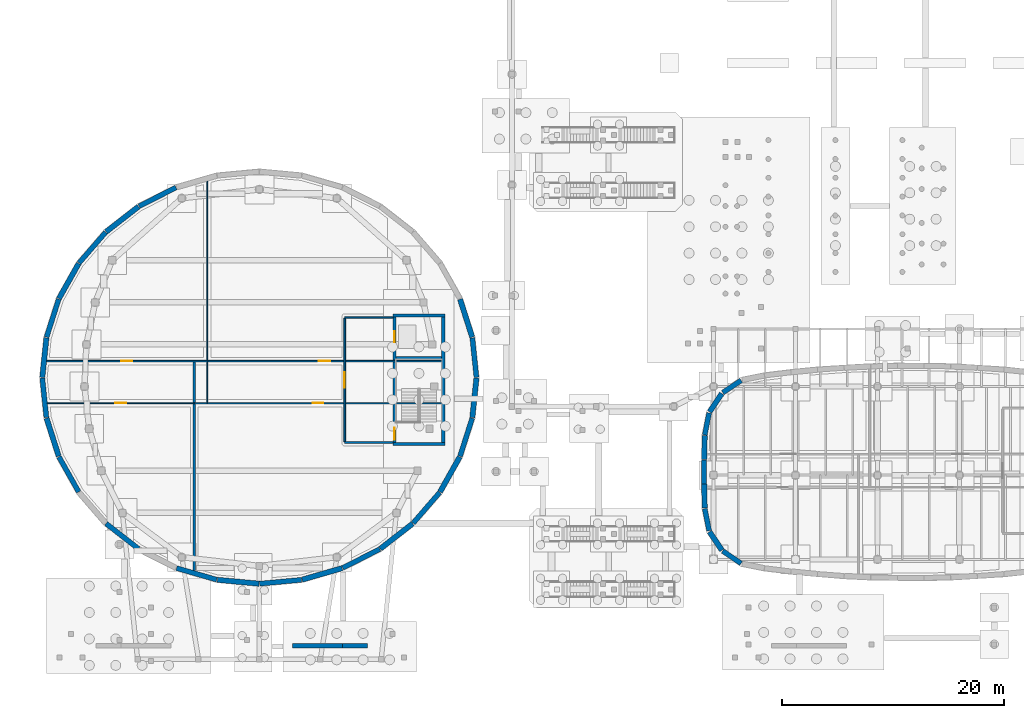
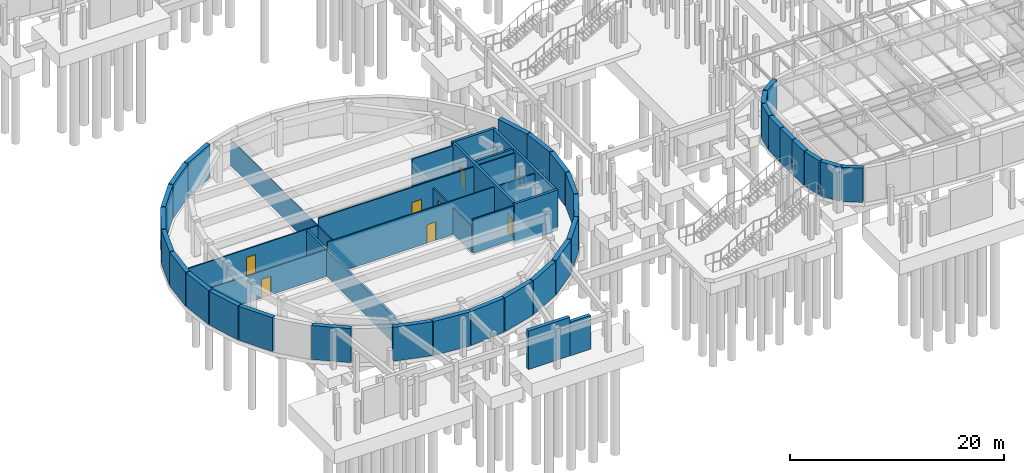
# One storey, part 32 of 45: 47 walls, 7 doors, 7 openings.
"""IFC4 building model written with IfcOpenShell, lengths in metres."""

from ifc_helpers import new_model, si_unit, direction, frame, frame_2d, origin, place, context, subcontext, project, spatial, rectangle, extrude, material, layer, layer_set, type_object, element, fill, save


model = new_model("IFC4")

# Units and contexts
model_context = context("Model", 3, precision=1e-05, world=origin(), true_north=direction((0.0, 1.0)))
body_context = subcontext(model_context, "Body", "Model", "MODEL_VIEW")
ifc_project = project(units=[si_unit("LENGTHUNIT", "METRE"), si_unit("AREAUNIT", "SQUARE_METRE"), si_unit("VOLUMEUNIT", "CUBIC_METRE"), si_unit("PLANEANGLEUNIT", "RADIAN"), si_unit("MASSUNIT", "GRAM", prefix="KILO")], contexts=[model_context])

# Site, building, storey
site_placement = place(None, origin())
site = spatial("IfcSite", under=ifc_project, at=site_placement, CompositionType="ELEMENT")
building_placement = place(site_placement, origin())
building = spatial("IfcBuilding", under=site, at=building_placement, Name="Corveleigh Park Community Centre", CompositionType="ELEMENT")
storey_placement = place(building_placement, frame((0.0, 0.0, -4.199951171875)))
storey = spatial("IfcBuildingStorey", under=building, at=storey_placement, Name="B1", CompositionType="ELEMENT", Elevation=-4.199951171875)

# Wall, opening, door
ifc_material_1 = material(Name="Gypsum acoustic stud partition", Category="gypsum")
ifc_layer_1 = layer(ifc_material_1, 0.10009765625, Name="Gypsum acoustic stud partition", Category="gypsum")
ifc_layer_set_1 = layer_set([ifc_layer_1], Name="Gypsum acoustic stud partition")
wall_type_1 = type_object("IfcWallType", Name="WL-PRT-100", PredefinedType="PARTITIONING", material=ifc_layer_set_1)
wall_1_placement = place(storey_placement, frame((11.85302734375, 25.300048828125, 0.0), z_axis=(0.0, 0.0, 1.0), x_axis=(1.0, 0.0, 0.0)))
wall_1 = element("IfcWall", 1, at=wall_1_placement, inside=storey, type_object=wall_type_1, Name="Music Recording Studio 1 corridor wall", PredefinedType="PARTITIONING", context=body_context, shape_type="SweptSolid", body=[
    extrude(rectangle(XDim=13.2470703125, YDim=0.10009765625, at=frame_2d((6.62353515625, 0.0))), origin(), (0.0, 0.0, 1.0), 3.054931640625),
])
opening_1_placement = place(wall_1_placement, frame((6.1240234375, 0.0, 0.0)))
opening_1 = element("IfcOpeningElement", 2, at=opening_1_placement, cuts=wall_1, Name="Opening ID01", PredefinedType="OPENING", context=body_context, shape_type="SweptSolid", body=[
    extrude(rectangle(XDim=1.0, YDim=2.1201171875, at=frame_2d((0.5, 1.06005859375))), frame((0.0, 0.06005859375, 0.0), z_axis=(0.0, -1.0, 0.0), x_axis=(1.0, 0.0, 0.0)), (0.0, 0.0, 1.0), 0.1201171875),
])
ifc_material_2 = material(Name="Hardwood acoustic door leaf", Category="wood")
door_type_1 = type_object("IfcDoorType", Name="DR-INT-1000x2120", OperationType="NOTDEFINED", PredefinedType="DOOR", material=ifc_material_2)
door_1_placement = place(opening_1_placement, origin())
door_1 = element("IfcDoor", 3, at=door_1_placement, inside=storey, type_object=door_type_1, Name="Music Recording Studio 1 door", OperationType="SINGLE_SWING_LEFT", OverallHeight=2.1201171875, OverallWidth=1.0, PredefinedType="DOOR", context=body_context, shape_type="SweptSolid", body=[
    extrude(rectangle(XDim=1.0, YDim=2.1201171875, at=frame_2d((0.5, 1.06005859375))), frame((0.0, 0.02490234375, 0.0), z_axis=(0.0, -1.0, 0.0), x_axis=(1.0, 0.0, 0.0)), (0.0, 0.0, 1.0), 0.050048828125),
])
fill(opening_1, door_1)

# Wall
wall_2_placement = place(storey_placement, frame((26.300048828125, 25.345947265625, 0.0), z_axis=(0.0, 0.0, 1.0), x_axis=(0.0, 1.0, 0.0)))
element("IfcWall", 4, at=wall_2_placement, inside=storey, type_object=wall_type_1, Name="Community Makerspace Workshop partition", PredefinedType="PARTITIONING", context=body_context, shape_type="SweptSolid", body=[
    extrude(rectangle(XDim=20.007080078125, YDim=0.10009765625, at=frame_2d((10.00341796875, 0.0))), origin(), (0.0, 0.0, 1.0), 3.0048828125),
])

# Wall, opening, door
ifc_layer_2 = layer(ifc_material_1, 0.114990234375, Name="Gypsum acoustic stud partition", Category="gypsum")
ifc_layer_set_2 = layer_set([ifc_layer_2], Name="Gypsum acoustic stud partition")
wall_type_2 = type_object("IfcWallType", Name="WL-PRT-115", PredefinedType="PARTITIONING", material=ifc_layer_set_2)
wall_3_placement = place(storey_placement, frame((25.10009765625, 25.300048828125, 0.0), z_axis=(0.0, 0.0, 1.0), x_axis=(1.0, 0.0, 0.0)))
wall_3 = element("IfcWall", 5, at=wall_3_placement, inside=storey, type_object=wall_type_2, Name="Ensemble Rehearsal Studio corridor wall", PredefinedType="PARTITIONING", context=body_context, shape_type="SweptSolid", body=[
    extrude(rectangle(XDim=22.3740234375, YDim=0.114990234375, at=frame_2d((11.18701171875, 0.0))), origin(), (0.0, 0.0, 1.0), 3.866943359375),
])
opening_2_placement = place(wall_3_placement, frame((10.717041015625, 0.0, 0.0)))
opening_2 = element("IfcOpeningElement", 6, at=opening_2_placement, cuts=wall_3, Name="Opening FD09", PredefinedType="OPENING", context=body_context, shape_type="SweptSolid", body=[
    extrude(rectangle(XDim=0.93994140625, YDim=2.10009765625, at=frame_2d((0.469970703125, 1.050048828125))), frame((0.0, 0.0673828125, 0.0), z_axis=(0.0, -1.0, 0.0), x_axis=(1.0, 0.0, 0.0)), (0.0, 0.0, 1.0), 0.135009765625),
])
door_type_2 = type_object("IfcDoorType", Name="DR-FIR-0940x2100", OperationType="NOTDEFINED", PredefinedType="DOOR", material=ifc_material_2)
door_2_placement = place(opening_2_placement, origin())
door_2 = element("IfcDoor", 7, at=door_2_placement, inside=storey, type_object=door_type_2, Name="Ensemble Rehearsal Studio door", OperationType="SINGLE_SWING_RIGHT", OverallHeight=2.10009765625, OverallWidth=0.93994140625, PredefinedType="DOOR", context=body_context, shape_type="SweptSolid", body=[
    extrude(rectangle(XDim=0.93994140625, YDim=2.10009765625, at=frame_2d((0.469970703125, 1.050048828125))), frame((0.0, 0.02490234375, 0.0), z_axis=(0.0, -1.0, 0.0), x_axis=(1.0, 0.0, 0.0)), (0.0, 0.0, 1.0), 0.050048828125),
])
fill(opening_2, door_2)

ifc_layer_3 = layer(ifc_material_1, 0.125, Name="Gypsum acoustic stud partition", Category="gypsum")
ifc_layer_set_3 = layer_set([ifc_layer_3], Name="Gypsum acoustic stud partition")
wall_type_3 = type_object("IfcWallType", Name="WL-PRT-125", PredefinedType="PARTITIONING", material=ifc_layer_set_3)
wall_4_placement = place(storey_placement, frame((26.300048828125, 29.10009765625, 0.0), z_axis=(0.0, 0.0, 1.0), x_axis=(-1.0, 0.0, 0.0)))
wall_4 = element("IfcWall", 8, at=wall_4_placement, inside=storey, type_object=wall_type_3, Name="Community Makerspace Workshop corridor wall", PredefinedType="PARTITIONING", context=body_context, shape_type="SweptSolid", body=[
    extrude(rectangle(XDim=14.51513671875, YDim=0.125, at=frame_2d((7.257568359375, 0.0))), origin(), (0.0, 0.0, 1.0), 3.054931640625),
])
opening_3_placement = place(wall_4_placement, frame((6.76806640625, 0.0, 0.0)))
opening_3 = element("IfcOpeningElement", 9, at=opening_3_placement, cuts=wall_4, Name="Opening FD06", PredefinedType="OPENING", context=body_context, shape_type="SweptSolid", body=[
    extrude(rectangle(XDim=0.97998046875, YDim=2.1201171875, at=frame_2d((0.489990234375, 1.06005859375))), frame((0.0, 0.072509765625, 0.0), z_axis=(0.0, -1.0, 0.0), x_axis=(1.0, 0.0, 0.0)), (0.0, 0.0, 1.0), 0.14501953125),
])
door_type_3 = type_object("IfcDoorType", Name="DR-FIR-0980x2120", OperationType="NOTDEFINED", PredefinedType="DOOR", material=ifc_material_2)
door_3_placement = place(opening_3_placement, origin())
door_3 = element("IfcDoor", 10, at=door_3_placement, inside=storey, type_object=door_type_3, Name="Community Makerspace Workshop door", OperationType="SINGLE_SWING_LEFT", OverallHeight=2.1201171875, OverallWidth=0.97998046875, PredefinedType="DOOR", context=body_context, shape_type="SweptSolid", body=[
    extrude(rectangle(XDim=0.97998046875, YDim=2.1201171875, at=frame_2d((0.489990234375, 1.06005859375))), frame((0.0, 0.02490234375, 0.0), z_axis=(0.0, -1.0, 0.0), x_axis=(1.0, 0.0, 0.0)), (0.0, 0.0, 1.0), 0.050048828125),
])
fill(opening_3, door_3)

ifc_layer_4 = layer(ifc_material_1, 0.139892578125, Name="Gypsum acoustic stud partition", Category="gypsum")
ifc_layer_set_4 = layer_set([ifc_layer_4], Name="Gypsum acoustic stud partition")
wall_type_4 = type_object("IfcWallType", Name="WL-PRT-140", PredefinedType="PARTITIONING", material=ifc_layer_set_4)
wall_5_placement = place(storey_placement, frame((47.47412109375, 29.10009765625, 0.0), z_axis=(0.0, 0.0, 1.0), x_axis=(-1.0, 0.0, 0.0)))
wall_5 = element("IfcWall", 11, at=wall_5_placement, inside=storey, type_object=wall_type_4, Name="Digital Media Editing Classroom corridor wall", PredefinedType="PARTITIONING", context=body_context, shape_type="SweptSolid", body=[
    extrude(rectangle(XDim=21.174072265625, YDim=0.139892578125, at=frame_2d((10.5869140625, 0.0))), origin(), (0.0, 0.0, 1.0), 3.866943359375),
])
opening_4_placement = place(wall_5_placement, frame((10.076904296875, 0.0, 0.0)))
opening_4 = element("IfcOpeningElement", 12, at=opening_4_placement, cuts=wall_5, Name="Opening FD05", PredefinedType="OPENING", context=body_context, shape_type="SweptSolid", body=[
    extrude(rectangle(XDim=1.02001953125, YDim=2.139892578125, at=frame_2d((0.510009765625, 1.06982421875))), frame((0.0, 0.079833984375, 0.0), z_axis=(0.0, -1.0, 0.0), x_axis=(1.0, 0.0, 0.0)), (0.0, 0.0, 1.0), 0.159912109375),
])
door_type_4 = type_object("IfcDoorType", Name="DR-FIR-1020x2140", OperationType="NOTDEFINED", PredefinedType="DOOR", material=ifc_material_2)
door_4_placement = place(opening_4_placement, origin())
door_4 = element("IfcDoor", 13, at=door_4_placement, inside=storey, type_object=door_type_4, Name="Digital Media Editing Classroom door", OperationType="SINGLE_SWING_RIGHT", OverallHeight=2.139892578125, OverallWidth=1.02001953125, PredefinedType="DOOR", context=body_context, shape_type="SweptSolid", body=[
    extrude(rectangle(XDim=1.02001953125, YDim=2.139892578125, at=frame_2d((0.510009765625, 1.06982421875))), frame((0.0, 0.02490234375, 0.0), z_axis=(0.0, -1.0, 0.0), x_axis=(1.0, 0.0, 0.0)), (0.0, 0.0, 1.0), 0.050048828125),
])
fill(opening_4, door_4)

# Walls
ifc_layer_5 = layer(ifc_material_1, 0.14990234375, Name="Gypsum acoustic stud partition", Category="gypsum")
ifc_layer_set_5 = layer_set([ifc_layer_5], Name="Gypsum acoustic stud partition")
wall_type_5 = type_object("IfcWallType", Name="WL-PRT-150", PredefinedType="PARTITIONING", material=ifc_layer_set_5)
for number, where, z_axis, x_axis, name in (
    (14, (38.699951171875, 21.75, 0.0), (0.0, 0.0, 1.0), (1.0, 0.0, 0.0), "CORE5 lobby south wall"),
    (15, (43.077880859375, 33.050048828125, 0.0), (0.0, 0.0, 1.0), (-1.0, 0.0, 0.0), "CORE5 lobby north wall"),
):
    element("IfcWall", number, at=place(storey_placement, frame(where, z_axis=z_axis, x_axis=x_axis)), inside=storey, type_object=wall_type_5, Name=name, PredefinedType="PARTITIONING", context=body_context, shape_type="SweptSolid", body=[
        extrude(rectangle(XDim=4.3779296875, YDim=0.14990234375, at=frame_2d((2.18896484375, 0.0))), origin(), (0.0, 0.0, 1.0), 3.866943359375),
    ])

# Wall, opening, door
wall_6_placement = place(storey_placement, frame((38.699951171875, 32.969970703125, 0.0), z_axis=(0.0, 0.0, 1.0), x_axis=(0.0, -1.0, 0.0)))
wall_6 = element("IfcWall", 16, at=wall_6_placement, inside=storey, type_object=wall_type_5, Name="CORE5 lobby corridor wall", PredefinedType="PARTITIONING", context=body_context, shape_type="SweptSolid", body=[
    extrude(rectangle(XDim=11.139892578125, YDim=0.14990234375, at=frame_2d((5.56982421875, 0.0))), origin(), (0.0, 0.0, 1.0), 3.0048828125),
])
opening_5_placement = place(wall_6_placement, frame((4.8798828125, 0.0, 0.0)))
opening_5 = element("IfcOpeningElement", 17, at=opening_5_placement, cuts=wall_6, Name="Opening FD02", PredefinedType="OPENING", context=body_context, shape_type="SweptSolid", body=[
    extrude(rectangle(XDim=1.3798828125, YDim=2.199951171875, at=frame_2d((0.68994140625, 1.10009765625))), frame((0.0, 0.0849609375, 0.0), z_axis=(0.0, -1.0, 0.0), x_axis=(1.0, 0.0, 0.0)), (0.0, 0.0, 1.0), 0.169921875),
])
door_type_5 = type_object("IfcDoorType", Name="DR-FIR-1380x2200", OperationType="DOUBLE_DOOR_SINGLE_SWING", PredefinedType="DOOR", material=ifc_material_2)
door_5_placement = place(opening_5_placement, origin())
door_5 = element("IfcDoor", 18, at=door_5_placement, inside=storey, type_object=door_type_5, Name="Lobby CORE5 corridor door B1", OperationType="DOUBLE_DOOR_SINGLE_SWING", OverallHeight=2.199951171875, OverallWidth=1.3798828125, PredefinedType="DOOR", context=body_context, shape_type="SweptSolid", body=[
    extrude(rectangle(XDim=1.3798828125, YDim=2.199951171875, at=frame_2d((0.68994140625, 1.10009765625))), frame((0.0, 0.02490234375, 0.0), z_axis=(0.0, -1.0, 0.0), x_axis=(1.0, 0.0, 0.0)), (0.0, 0.0, 1.0), 0.050048828125),
])
fill(opening_5, door_5)

# Walls
ifc_material_3 = material(Name="Masonry blockwork 7.3 MPa", Category="masonry")
ifc_layer_6 = layer(ifc_material_3, 0.22998046875, Name="Masonry blockwork 7.3 MPa", Category="masonry")
ifc_layer_set_6 = layer_set([ifc_layer_6], Name="Masonry blockwork 7.3 MPa")
wall_type_6 = type_object("IfcWallType", Name="WL-PRT-230", PredefinedType="PARTITIONING", material=ifc_layer_set_6)
wall_7_placement = place(storey_placement, frame((25.10009765625, 10.177001953125, 0.0), z_axis=(0.0, 0.0, 1.0), x_axis=(0.0, 1.0, 0.0)))
element("IfcWall", 19, at=wall_7_placement, inside=storey, type_object=wall_type_6, Name="Music Recording Studio 1 partition", PredefinedType="PARTITIONING", context=body_context, shape_type="SweptSolid", body=[
    extrude(rectangle(XDim=18.873046875, YDim=0.22998046875, at=frame_2d((9.4365234375, 0.0))), origin(), (0.0, 0.0, 1.0), 3.0048828125),
])
ifc_material_4 = material(Name="Concrete C40/50", Category="concrete")
ifc_layer_7 = layer(ifc_material_4, 0.449951171875, Name="Concrete C40/50", Category="concrete")
ifc_layer_set_7 = layer_set([ifc_layer_7], Name="Concrete C40/50")
wall_type_7 = type_object("IfcWallType", Name="WL-RET-450", PredefinedType="STANDARD", material=ifc_layer_set_7)
wall_8_placement = place(storey_placement, frame((50.22607421875, 31.197998046875, 0.0), z_axis=(0.0, 0.0, 1.0), x_axis=(0.103412455299, -0.994638559523, 0.0)))
element("IfcWall", 20, at=wall_8_placement, inside=storey, type_object=wall_type_7, Name="V1 B1 retaining wall", PredefinedType="STANDARD", context=body_context, shape_type="SweptSolid", body=[
    extrude(rectangle(XDim=3.586181640625, YDim=0.449951171875, at=frame_2d((1.79296875, 0.0))), origin(), (0.0, 0.0, 1.0), 3.866943359375),
])
wall_9_placement = place(storey_placement, frame((20.136962890625, 43.077880859375, 0.0), z_axis=(0.0, 0.0, 1.0), x_axis=(0.891722284503, 0.452582994952, 0.0)))
element("IfcWall", 21, at=wall_9_placement, inside=storey, type_object=wall_type_7, Name="V1 B1 retaining wall", PredefinedType="STANDARD", context=body_context, shape_type="SweptSolid", body=[
    extrude(rectangle(XDim=3.740966796875, YDim=0.449951171875, at=frame_2d((1.87060546875, 0.0))), origin(), (0.0, 0.0, 1.0), 3.866943359375),
])
wall_10_placement = place(storey_placement, frame((14.722900390625, 37.95703125, 0.0), z_axis=(0.0, 0.0, 1.0), x_axis=(0.654278596364, 0.756253607158, 0.0)))
element("IfcWall", 22, at=wall_10_placement, inside=storey, type_object=wall_type_7, Name="V1 B1 retaining wall", PredefinedType="STANDARD", context=body_context, shape_type="SweptSolid", body=[
    extrude(rectangle(XDim=3.665283203125, YDim=0.449951171875, at=frame_2d((1.83251953125, 0.0))), origin(), (0.0, 0.0, 1.0), 3.866943359375),
])
wall_11_placement = place(storey_placement, frame((11.785888671875, 31.259033203125, 0.0), z_axis=(0.0, 0.0, 1.0), x_axis=(0.304751121455, 0.952432020657, 0.0)))
element("IfcWall", 23, at=wall_11_placement, inside=storey, type_object=wall_type_7, Name="V1 B1 retaining wall", PredefinedType="STANDARD", context=body_context, shape_type="SweptSolid", body=[
    extrude(rectangle(XDim=3.60009765625, YDim=0.449951171875, at=frame_2d((1.800048828125, 0.0))), origin(), (0.0, 0.0, 1.0), 3.866943359375),
])
wall_12_placement = place(storey_placement, frame((11.77392578125, 24.001953125, 0.0), z_axis=(0.0, 0.0, 1.0), x_axis=(-0.103405453269, 0.994639287498, 0.0)))
element("IfcWall", 24, at=wall_12_placement, inside=storey, type_object=wall_type_7, Name="V1 B1 retaining wall", PredefinedType="STANDARD", context=body_context, shape_type="SweptSolid", body=[
    extrude(rectangle(XDim=3.58642578125, YDim=0.449951171875, at=frame_2d((1.793212890625, 0.0))), origin(), (0.0, 0.0, 1.0), 3.866943359375),
])
wall_13_placement = place(storey_placement, frame((14.68798828125, 17.2919921875, 0.0), z_axis=(0.0, 0.0, 1.0), x_axis=(-0.490631601597, 0.871367104907, 0.0)))
element("IfcWall", 25, at=wall_13_placement, inside=storey, type_object=wall_type_7, Name="V1 B1 retaining wall", PredefinedType="STANDARD", context=body_context, shape_type="SweptSolid", body=[
    extrude(rectangle(XDim=3.630126953125, YDim=0.449951171875, at=frame_2d((1.81494140625, 0.0))), origin(), (0.0, 0.0, 1.0), 3.866943359375),
])
wall_14_placement = place(storey_placement, frame((20.087890625, 12.153076171875, 0.0), z_axis=(0.0, 0.0, 1.0), x_axis=(-0.788890732052, 0.614533492075, 0.0)))
element("IfcWall", 26, at=wall_14_placement, inside=storey, type_object=wall_type_7, Name="V1 B1 retaining wall", PredefinedType="STANDARD", context=body_context, shape_type="SweptSolid", body=[
    extrude(rectangle(XDim=3.705078125, YDim=0.449951171875, at=frame_2d((1.8525390625, 0.0))), origin(), (0.0, 0.0, 1.0), 3.866943359375),
])
wall_15_placement = place(storey_placement, frame((27.14794921875, 9.364990234375, 0.0), z_axis=(0.0, 0.0, 1.0), x_axis=(-0.960930032161, 0.276791389481, 0.0)))
element("IfcWall", 27, at=wall_15_placement, inside=storey, type_object=wall_type_7, Name="V1 B1 retaining wall", PredefinedType="STANDARD", context=body_context, shape_type="SweptSolid", body=[
    extrude(rectangle(XDim=3.76806640625, YDim=0.449951171875, at=frame_2d((1.884033203125, 0.0))), origin(), (0.0, 0.0, 1.0), 3.866943359375),
])
wall_16_placement = place(storey_placement, frame((34.794921875, 9.35400390625, 0.0), z_axis=(0.0, 0.0, 1.0), x_axis=(-0.995684868215, -0.092798939691, 0.0)))
element("IfcWall", 28, at=wall_16_placement, inside=storey, type_object=wall_type_7, Name="V1 B1 retaining wall", PredefinedType="STANDARD", context=body_context, shape_type="SweptSolid", body=[
    extrude(rectangle(XDim=3.783203125, YDim=0.449951171875, at=frame_2d((1.8916015625, 0.0))), origin(), (0.0, 0.0, 1.0), 3.866943359375),
])
wall_17_placement = place(storey_placement, frame((41.863037109375, 12.1220703125, 0.0), z_axis=(0.0, 0.0, 1.0), x_axis=(-0.891722284503, -0.452582994952, 0.0)))
element("IfcWall", 29, at=wall_17_placement, inside=storey, type_object=wall_type_7, Name="V1 B1 retaining wall", PredefinedType="STANDARD", context=body_context, shape_type="SweptSolid", body=[
    extrude(rectangle(XDim=3.740966796875, YDim=0.449951171875, at=frame_2d((1.87060546875, 0.0))), origin(), (0.0, 0.0, 1.0), 3.866943359375),
])
wall_18_placement = place(storey_placement, frame((47.277099609375, 17.242919921875, 0.0), z_axis=(0.0, 0.0, 1.0), x_axis=(-0.654278596364, -0.756253607158, 0.0)))
element("IfcWall", 30, at=wall_18_placement, inside=storey, type_object=wall_type_7, Name="V1 B1 retaining wall", PredefinedType="STANDARD", context=body_context, shape_type="SweptSolid", body=[
    extrude(rectangle(XDim=3.665283203125, YDim=0.449951171875, at=frame_2d((1.83251953125, 0.0))), origin(), (0.0, 0.0, 1.0), 3.866943359375),
])
wall_19_placement = place(storey_placement, frame((50.214111328125, 23.94091796875, 0.0), z_axis=(0.0, 0.0, 1.0), x_axis=(-0.304751121455, -0.952432020657, 0.0)))
element("IfcWall", 31, at=wall_19_placement, inside=storey, type_object=wall_type_7, Name="V1 B1 retaining wall", PredefinedType="STANDARD", context=body_context, shape_type="SweptSolid", body=[
    extrude(rectangle(XDim=3.60009765625, YDim=0.449951171875, at=frame_2d((1.800048828125, 0.0))), origin(), (0.0, 0.0, 1.0), 3.866943359375),
])
wall_20_placement = place(storey_placement, frame((72.826904296875, 26.248046875, 0.0), z_axis=(0.0, 0.0, 1.0), x_axis=(0.831410947249, 0.555658021443, 0.0)))
element("IfcWall", 32, at=wall_20_placement, inside=storey, type_object=wall_type_7, Name="V3 B1 retaining wall", PredefinedType="STANDARD", context=body_context, shape_type="SweptSolid", body=[
    extrude(rectangle(XDim=1.9990234375, YDim=0.449951171875, at=frame_2d((0.99951171875, 0.0))), origin(), (0.0, 0.0, 1.0), 3.89697265625),
])
wall_21_placement = place(storey_placement, frame((71.205078125, 22.426025390625, 0.0), z_axis=(0.0, 0.0, 1.0), x_axis=(0.194980456149, 0.980807127686, 0.0)))
element("IfcWall", 33, at=wall_21_placement, inside=storey, type_object=wall_type_7, Name="V3 B1 retaining wall", PredefinedType="STANDARD", context=body_context, shape_type="SweptSolid", body=[
    extrude(rectangle(XDim=2.02587890625, YDim=0.449951171875, at=frame_2d((1.012939453125, 0.0))), origin(), (0.0, 0.0, 1.0), 3.89697265625),
])
wall_22_placement = place(storey_placement, frame((71.152099609375, 18.009033203125, 0.0), z_axis=(0.0, 0.0, 1.0), x_axis=(0.0, 1.0, 0.0)))
element("IfcWall", 34, at=wall_22_placement, inside=storey, type_object=wall_type_7, Name="V3 B1 retaining wall", PredefinedType="STANDARD", context=body_context, shape_type="SweptSolid", body=[
    extrude(rectangle(XDim=2.181884765625, YDim=0.449951171875, at=frame_2d((1.0908203125, 0.0))), origin(), (0.0, 0.0, 1.0), 3.89697265625),
])
wall_23_placement = place(storey_placement, frame((71.60009765625, 13.787109375, 0.0), z_axis=(0.0, 0.0, 1.0), x_axis=(-0.195003504379, 0.980802545511, 0.0)))
element("IfcWall", 35, at=wall_23_placement, inside=storey, type_object=wall_type_7, Name="V3 B1 retaining wall", PredefinedType="STANDARD", context=body_context, shape_type="SweptSolid", body=[
    extrude(rectangle(XDim=2.025634765625, YDim=0.449951171875, at=frame_2d((1.0126953125, 0.0))), origin(), (0.0, 0.0, 1.0), 3.89697265625),
])
wall_24_placement = place(storey_placement, frame((74.489013671875, 10.841064453125, 0.0), z_axis=(0.0, 0.0, 1.0), x_axis=(-0.831410947249, 0.555658021443, 0.0)))
element("IfcWall", 36, at=wall_24_placement, inside=storey, type_object=wall_type_7, Name="V3 B1 retaining wall", PredefinedType="STANDARD", context=body_context, shape_type="SweptSolid", body=[
    extrude(rectangle(XDim=1.9990234375, YDim=0.449951171875, at=frame_2d((0.99951171875, 0.0))), origin(), (0.0, 0.0, 1.0), 3.89697265625),
])
ifc_layer_8 = layer(ifc_material_4, 0.47998046875, Name="Concrete C40/50", Category="concrete")
ifc_layer_set_8 = layer_set([ifc_layer_8], Name="Concrete C40/50")
wall_type_8 = type_object("IfcWallType", Name="WL-RET-480", PredefinedType="STANDARD", material=ifc_layer_set_8)
wall_25_placement = place(storey_placement, frame((49.116943359375, 34.68798828125, 0.0), z_axis=(0.0, 0.0, 1.0), x_axis=(0.304751121455, -0.952432020657, 0.0)))
element("IfcWall", 37, at=wall_25_placement, inside=storey, type_object=wall_type_8, Name="V1 B1 retaining wall", PredefinedType="STANDARD", context=body_context, shape_type="SweptSolid", body=[
    extrude(rectangle(XDim=3.60009765625, YDim=0.47998046875, at=frame_2d((1.800048828125, 0.0))), origin(), (0.0, 0.0, 1.0), 3.866943359375),
])
wall_26_placement = place(storey_placement, frame((17.1650390625, 40.77001953125, 0.0), z_axis=(0.0, 0.0, 1.0), x_axis=(0.788858786569, 0.614574499025, 0.0)))
element("IfcWall", 38, at=wall_26_placement, inside=storey, type_object=wall_type_8, Name="V1 B1 retaining wall", PredefinedType="STANDARD", context=body_context, shape_type="SweptSolid", body=[
    extrude(rectangle(XDim=3.705078125, YDim=0.47998046875, at=frame_2d((1.8525390625, 0.0))), origin(), (0.0, 0.0, 1.0), 3.866943359375),
])
wall_27_placement = place(storey_placement, frame((12.906982421875, 34.7451171875, 0.0), z_axis=(0.0, 0.0, 1.0), x_axis=(0.490660356263, 0.871350913692, 0.0)))
element("IfcWall", 39, at=wall_27_placement, inside=storey, type_object=wall_type_8, Name="V1 B1 retaining wall", PredefinedType="STANDARD", context=body_context, shape_type="SweptSolid", body=[
    extrude(rectangle(XDim=3.6298828125, YDim=0.47998046875, at=frame_2d((1.81494140625, 0.0))), origin(), (0.0, 0.0, 1.0), 3.866943359375),
])
wall_28_placement = place(storey_placement, frame((11.403076171875, 27.631103515625, 0.0), z_axis=(0.0, 0.0, 1.0), x_axis=(0.103412455299, 0.994638559523, 0.0)))
element("IfcWall", 40, at=wall_28_placement, inside=storey, type_object=wall_type_8, Name="V1 B1 retaining wall", PredefinedType="STANDARD", context=body_context, shape_type="SweptSolid", body=[
    extrude(rectangle(XDim=3.586181640625, YDim=0.47998046875, at=frame_2d((1.79296875, 0.0))), origin(), (0.0, 0.0, 1.0), 3.866943359375),
])
wall_29_placement = place(storey_placement, frame((12.883056640625, 20.511962890625, 0.0), z_axis=(0.0, 0.0, 1.0), x_axis=(-0.304751121455, 0.952432020657, 0.0)))
element("IfcWall", 41, at=wall_29_placement, inside=storey, type_object=wall_type_8, Name="V1 B1 retaining wall", PredefinedType="STANDARD", context=body_context, shape_type="SweptSolid", body=[
    extrude(rectangle(XDim=3.60009765625, YDim=0.47998046875, at=frame_2d((1.800048828125, 0.0))), origin(), (0.0, 0.0, 1.0), 3.866943359375),
])
wall_30_placement = place(storey_placement, frame((30.971923828125, 9.0029296875, 0.0), z_axis=(0.0, 0.0, 1.0), x_axis=(-0.995684868215, 0.092798939691, 0.0)))
element("IfcWall", 42, at=wall_30_placement, inside=storey, type_object=wall_type_8, Name="V1 B1 retaining wall", PredefinedType="STANDARD", context=body_context, shape_type="SweptSolid", body=[
    extrude(rectangle(XDim=3.783203125, YDim=0.47998046875, at=frame_2d((1.8916015625, 0.0))), origin(), (0.0, 0.0, 1.0), 3.866943359375),
])
wall_31_placement = place(storey_placement, frame((38.472900390625, 10.407958984375, 0.0), z_axis=(0.0, 0.0, 1.0), x_axis=(-0.960930032161, -0.276791389481, 0.0)))
element("IfcWall", 43, at=wall_31_placement, inside=storey, type_object=wall_type_8, Name="V1 B1 retaining wall", PredefinedType="STANDARD", context=body_context, shape_type="SweptSolid", body=[
    extrude(rectangle(XDim=3.76806640625, YDim=0.47998046875, at=frame_2d((1.884033203125, 0.0))), origin(), (0.0, 0.0, 1.0), 3.866943359375),
])
wall_32_placement = place(storey_placement, frame((44.8349609375, 14.429931640625, 0.0), z_axis=(0.0, 0.0, 1.0), x_axis=(-0.788890732052, -0.614533492075, 0.0)))
element("IfcWall", 44, at=wall_32_placement, inside=storey, type_object=wall_type_8, Name="V1 B1 retaining wall", PredefinedType="STANDARD", context=body_context, shape_type="SweptSolid", body=[
    extrude(rectangle(XDim=3.705078125, YDim=0.47998046875, at=frame_2d((1.8525390625, 0.0))), origin(), (0.0, 0.0, 1.0), 3.866943359375),
])
wall_33_placement = place(storey_placement, frame((49.093017578125, 20.455078125, 0.0), z_axis=(0.0, 0.0, 1.0), x_axis=(-0.490631601597, -0.871367104907, 0.0)))
element("IfcWall", 45, at=wall_33_placement, inside=storey, type_object=wall_type_8, Name="V1 B1 retaining wall", PredefinedType="STANDARD", context=body_context, shape_type="SweptSolid", body=[
    extrude(rectangle(XDim=3.630126953125, YDim=0.47998046875, at=frame_2d((1.81494140625, 0.0))), origin(), (0.0, 0.0, 1.0), 3.866943359375),
])
wall_34_placement = place(storey_placement, frame((50.596923828125, 27.569091796875, 0.0), z_axis=(0.0, 0.0, 1.0), x_axis=(-0.103405453269, -0.994639287498, 0.0)))
element("IfcWall", 46, at=wall_34_placement, inside=storey, type_object=wall_type_8, Name="V1 B1 retaining wall", PredefinedType="STANDARD", context=body_context, shape_type="SweptSolid", body=[
    extrude(rectangle(XDim=3.58642578125, YDim=0.47998046875, at=frame_2d((1.793212890625, 0.0))), origin(), (0.0, 0.0, 1.0), 3.866943359375),
])
wall_35_placement = place(storey_placement, frame((71.64111328125, 24.510986328125, 0.0), z_axis=(0.0, 0.0, 1.0), x_axis=(0.555658021443, 0.831410947249, 0.0)))
element("IfcWall", 47, at=wall_35_placement, inside=storey, type_object=wall_type_8, Name="V3 B1 retaining wall", PredefinedType="STANDARD", context=body_context, shape_type="SweptSolid", body=[
    extrude(rectangle(XDim=1.9990234375, YDim=0.47998046875, at=frame_2d((0.99951171875, 0.0))), origin(), (0.0, 0.0, 1.0), 3.89697265625),
])
for number, where, z_axis, x_axis, name in (
    (48, (71.152099609375, 20.208984375, 0.0), (0.0, 0.0, 1.0), (0.021655570194, 0.999765490642, 0.0), "V3 B1 retaining wall"),
    (49, (71.198974609375, 15.826904296875, 0.0), (0.0, 0.0, 1.0), (-0.021655570194, 0.999765490642, 0.0), "V3 B1 retaining wall"),
):
    element("IfcWall", number, at=place(storey_placement, frame(where, z_axis=z_axis, x_axis=x_axis)), inside=storey, type_object=wall_type_8, Name=name, PredefinedType="STANDARD", context=body_context, shape_type="SweptSolid", body=[
        extrude(rectangle(XDim=2.16455078125, YDim=0.47998046875, at=frame_2d((1.082275390625, 0.0))), origin(), (0.0, 0.0, 1.0), 3.89697265625),
    ])
wall_36_placement = place(storey_placement, frame((72.751953125, 12.027099609375, 0.0), z_axis=(0.0, 0.0, 1.0), x_axis=(-0.55571444413, 0.831373235427, 0.0)))
element("IfcWall", 50, at=wall_36_placement, inside=storey, type_object=wall_type_8, Name="V3 B1 retaining wall", PredefinedType="STANDARD", context=body_context, shape_type="SweptSolid", body=[
    extrude(rectangle(XDim=1.9990234375, YDim=0.47998046875, at=frame_2d((0.99951171875, 0.0))), origin(), (0.0, 0.0, 1.0), 3.89697265625),
])
ifc_layer_9 = layer(ifc_material_4, 0.25, Name="Concrete C40/50", Category="concrete")
ifc_layer_set_9 = layer_set([ifc_layer_9], Name="Concrete C40/50")
wall_type_9 = type_object("IfcWallType", Name="WL-SHR-250", PredefinedType="SHEAR", material=ifc_layer_set_9)
wall_37_placement = place(storey_placement, frame((43.337890625, 29.39990234375, -0.4150390625), z_axis=(0.0, 0.0, 1.0), x_axis=(1.0, 0.0, 0.0)))
element("IfcWall", 51, at=wall_37_placement, inside=storey, type_object=wall_type_9, Name="CORE5 shaft wall", PredefinedType="SHEAR", context=body_context, shape_type="SweptSolid", body=[
    extrude(rectangle(XDim=4.1240234375, YDim=0.25, at=frame_2d((2.06201171875, 0.0))), origin(), (0.0, 0.0, 1.0), 4.614990234375),
])
ifc_layer_10 = layer(ifc_material_4, 0.27490234375, Name="Concrete C40/50", Category="concrete")
ifc_layer_set_10 = layer_set([ifc_layer_10], Name="Concrete C40/50")
wall_type_10 = type_object("IfcWallType", Name="WL-SHR-275", PredefinedType="SHEAR", material=ifc_layer_set_10)
wall_38_placement = place(storey_placement, frame((43.06201171875, 21.60009765625, -0.4150390625), z_axis=(0.0, 0.0, 1.0), x_axis=(1.0, 0.0, 0.0)))
element("IfcWall", 52, at=wall_38_placement, inside=storey, type_object=wall_type_10, Name="CORE5 south shear wall", PredefinedType="SHEAR", context=body_context, shape_type="SweptSolid", body=[
    extrude(rectangle(XDim=4.676025390625, YDim=0.27490234375, at=frame_2d((2.337890625, 0.0))), origin(), (0.0, 0.0, 1.0), 4.614990234375),
])
wall_39_placement = place(storey_placement, frame((47.60009765625, 21.738037109375, -0.4150390625), z_axis=(0.0, 0.0, 1.0), x_axis=(0.0, 1.0, 0.0)))
element("IfcWall", 53, at=wall_39_placement, inside=storey, type_object=wall_type_10, Name="CORE5 east shear wall", PredefinedType="SHEAR", context=body_context, shape_type="SweptSolid", body=[
    extrude(rectangle(XDim=11.323974609375, YDim=0.27490234375, at=frame_2d((5.662109375, 0.0))), origin(), (0.0, 0.0, 1.0), 4.614990234375),
])
wall_40_placement = place(storey_placement, frame((47.738037109375, 33.199951171875, -0.4150390625), z_axis=(0.0, 0.0, 1.0), x_axis=(-1.0, 0.0, 0.0)))
element("IfcWall", 54, at=wall_40_placement, inside=storey, type_object=wall_type_10, Name="CORE5 north shear wall", PredefinedType="SHEAR", context=body_context, shape_type="SweptSolid", body=[
    extrude(rectangle(XDim=4.676025390625, YDim=0.27490234375, at=frame_2d((2.337890625, 0.0))), origin(), (0.0, 0.0, 1.0), 4.614990234375),
])

# Wall, openings, doors
wall_41_placement = place(storey_placement, frame((43.199951171875, 33.06201171875, -0.4150390625), z_axis=(0.0, 0.0, 1.0), x_axis=(0.0, -1.0, 0.0)))
wall_41 = element("IfcWall", 55, at=wall_41_placement, inside=storey, type_object=wall_type_10, Name="CORE5 west lobby wall", PredefinedType="SHEAR", context=body_context, shape_type="SweptSolid", body=[
    extrude(rectangle(XDim=11.323974609375, YDim=0.27490234375, at=frame_2d((5.662109375, 0.0))), origin(), (0.0, 0.0, 1.0), 4.614990234375),
])
opening_6_placement = place(wall_41_placement, frame((1.261962890625, 0.0, 0.4150390625)))
opening_6 = element("IfcOpeningElement", 56, at=opening_6_placement, cuts=wall_41, Name="Opening LD02", PredefinedType="OPENING", context=body_context, shape_type="SweptSolid", body=[
    extrude(rectangle(XDim=1.0, YDim=2.14990234375, at=frame_2d((0.5, 1.074951171875))), frame((0.0, 0.1474609375, 0.0), z_axis=(0.0, -1.0, 0.0), x_axis=(1.0, 0.0, 0.0)), (0.0, 0.0, 1.0), 0.294921875),
])
opening_7_placement = place(wall_41_placement, frame((9.98193359375, 0.0, 0.4150390625)))
opening_7 = element("IfcOpeningElement", 57, at=opening_7_placement, cuts=wall_41, Name="Opening FD04", PredefinedType="OPENING", context=body_context, shape_type="SweptSolid", body=[
    extrude(rectangle(XDim=1.06005859375, YDim=2.14990234375, at=frame_2d((0.530029296875, 1.074951171875))), frame((0.0, 0.1474609375, 0.0), z_axis=(0.0, -1.0, 0.0), x_axis=(1.0, 0.0, 0.0)), (0.0, 0.0, 1.0), 0.294921875),
])
door_type_6 = type_object("IfcDoorType", Name="DR-FIR-1060x2150", OperationType="NOTDEFINED", PredefinedType="DOOR", material=ifc_material_2)
door_6_placement = place(opening_7_placement, origin())
door_6 = element("IfcDoor", 58, at=door_6_placement, inside=storey, type_object=door_type_6, Name="Stair ST5 fire door B1", OperationType="SINGLE_SWING_LEFT", OverallHeight=2.14990234375, OverallWidth=1.06005859375, PredefinedType="DOOR", context=body_context, shape_type="SweptSolid", body=[
    extrude(rectangle(XDim=1.06005859375, YDim=2.14990234375, at=frame_2d((0.530029296875, 1.074951171875))), frame((0.0, 0.02490234375, 0.0), z_axis=(0.0, -1.0, 0.0), x_axis=(1.0, 0.0, 0.0)), (0.0, 0.0, 1.0), 0.050048828125),
])
fill(opening_7, door_6)
ifc_material_5 = material(Name="Brushed stainless steel lift car", Category="steel")
door_type_7 = type_object("IfcDoorType", Name="DR-LFT-1000x2150", OperationType="SLIDING_TO_LEFT", PredefinedType="DOOR", material=ifc_material_5)
door_7_placement = place(opening_6_placement, origin())
door_7 = element("IfcDoor", 59, at=door_7_placement, inside=storey, type_object=door_type_7, Name="Lift PL3 landing door B1", OperationType="SLIDING_TO_LEFT", OverallHeight=2.14990234375, OverallWidth=1.0, PredefinedType="DOOR", context=body_context, shape_type="SweptSolid", body=[
    extrude(rectangle(XDim=1.0, YDim=2.14990234375, at=frame_2d((0.5, 1.074951171875))), frame((0.0, 0.02490234375, 0.0), z_axis=(0.0, -1.0, 0.0), x_axis=(1.0, 0.0, 0.0)), (0.0, 0.0, 1.0), 0.050048828125),
])
fill(opening_6, door_7)

# Walls
ifc_layer_11 = layer(ifc_material_4, 0.3798828125, Name="Concrete C40/50", Category="concrete")
ifc_layer_set_11 = layer_set([ifc_layer_11], Name="Concrete C40/50")
wall_type_11 = type_object("IfcWallType", Name="WL-SUP-380", PredefinedType="SHEAR", material=ifc_layer_set_11)
wall_42_placement = place(storey_placement, frame((40.75, 3.39990234375, -0.4150390625), z_axis=(0.0, 0.0, 1.0), x_axis=(-1.0, 0.0, 0.0)))
element("IfcWall", 60, at=wall_42_placement, inside=storey, type_object=wall_type_11, Name="Ramp lower cheek wall", PredefinedType="SHEAR", context=body_context, shape_type="SweptSolid", body=[
    extrude(rectangle(XDim=2.25, YDim=0.3798828125, at=frame_2d((1.125, 0.0))), origin(), (0.0, 0.0, 1.0), 3.820068359375),
])
wall_43_placement = place(storey_placement, frame((38.5, 3.39990234375, -0.4150390625), z_axis=(0.0, 0.0, 1.0), x_axis=(-1.0, 0.0, 0.0)))
element("IfcWall", 61, at=wall_43_placement, inside=storey, type_object=wall_type_11, Name="Ramp upper cheek wall", PredefinedType="SHEAR", context=body_context, shape_type="SweptSolid", body=[
    extrude(rectangle(XDim=4.5, YDim=0.3798828125, at=frame_2d((2.25, 0.0))), origin(), (0.0, 0.0, 1.0), 4.409912109375),
])

save(model, "model.ifc")
